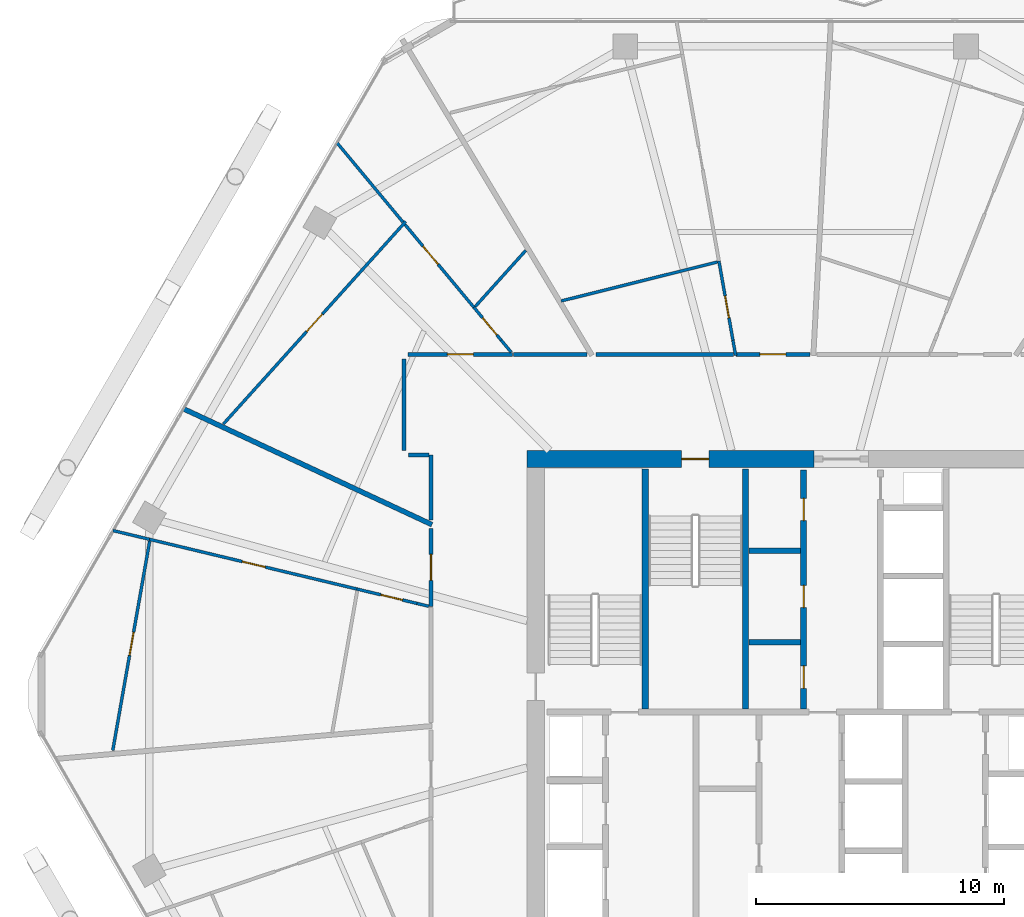
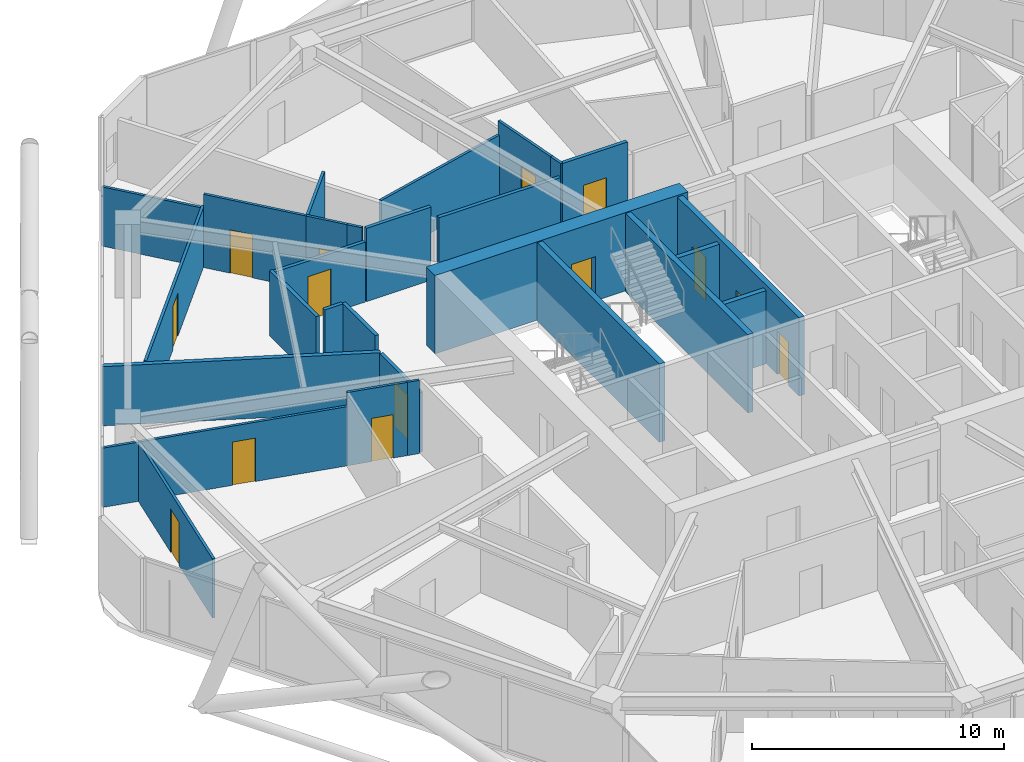
# One storey, part 24 of 29: 29 walls, 14 doors, 14 openings.
"""IFC4 building model written with IfcOpenShell, lengths in metres."""

from ifc_helpers import new_model, si_unit, direction, frame, frame_2d, origin, place, context, subcontext, project, spatial, rectangle, extrude, material, layer, layer_set, type_object, element, fill, save


model = new_model("IFC4")

# Units and contexts
model_context = context("Model", 3, precision=1e-05, world=origin(), true_north=direction((0.0, 1.0)))
body_context = subcontext(model_context, "Body", "Model", "MODEL_VIEW")
ifc_project = project(units=[si_unit("LENGTHUNIT", "METRE"), si_unit("AREAUNIT", "SQUARE_METRE"), si_unit("VOLUMEUNIT", "CUBIC_METRE"), si_unit("PLANEANGLEUNIT", "RADIAN"), si_unit("MASSUNIT", "GRAM", prefix="KILO")], contexts=[model_context])

# Site, building, storey
site_placement = place(None, origin())
site = spatial("IfcSite", under=ifc_project, at=site_placement, CompositionType="ELEMENT")
building_placement = place(site_placement, origin())
building = spatial("IfcBuilding", under=site, at=building_placement, Name="Zuhravey Tower", CompositionType="ELEMENT")
storey_placement = place(building_placement, frame((0.0, 0.0, 161.800048828125)))
storey = spatial("IfcBuildingStorey", under=building, at=storey_placement, Name="L40", CompositionType="ELEMENT", Elevation=161.800048828125)

# Wall, opening, door
ifc_material_1 = material(Name="Concrete C60/75", Category="concrete")
ifc_layer_1 = layer(ifc_material_1, 0.699951171875)
ifc_layer_set_1 = layer_set([ifc_layer_1], Name="Concrete C60/75")
wall_type_1 = type_object("IfcWallType", Name="Core Shear Wall 700", PredefinedType="SHEAR", material=ifc_layer_set_1)
wall_1_placement = place(storey_placement, frame((36.75, 41.5, 0.0), z_axis=(0.0, 0.0, 1.0), x_axis=(-1.0, 0.0, 0.0)))
wall_1 = element("IfcWall", 1, at=wall_1_placement, inside=storey, type_object=wall_type_1, Name="L40 North-West Core Shear Wall CW70", PredefinedType="SHEAR", context=body_context, shape_type="SweptSolid", body=[
    extrude(rectangle(XDim=11.60009765625, YDim=0.699951171875, at=frame_2d((5.800048828125, 0.0))), origin(), (0.0, 0.0, 1.0), 3.800048828125),
])
opening_1_placement = place(wall_1_placement, frame((4.25, 0.0, 0.0)))
opening_1 = element("IfcOpeningElement", 2, at=opening_1_placement, cuts=wall_1, Name="Opening STD1", PredefinedType="OPENING", context=body_context, shape_type="SweptSolid", body=[
    extrude(rectangle(XDim=1.10009765625, YDim=2.14990234375, at=frame_2d((0.550048828125, 1.074951171875))), frame((0.0, 0.362060546875, 0.0), z_axis=(0.0, -1.0, 0.0), x_axis=(1.0, 0.0, 0.0)), (0.0, 0.0, 1.0), 0.723876953125),
])
ifc_material_2 = material(Name="Galvanised fire-rated steel leaf", Category="steel")
door_type_1 = type_object("IfcDoorType", Name="Protected Stair Fire Door 1100x2150", OperationType="NOTDEFINED", PredefinedType="USERDEFINED", material=ifc_material_2)
door_1_placement = place(opening_1_placement, origin())
door_1 = element("IfcDoor", 3, at=door_1_placement, inside=storey, type_object=door_type_1, Name="L40 Stair ST3 Door", ObjectType="EXITDOOR", OperationType="SINGLE_SWING_RIGHT", OverallHeight=2.14990234375, OverallWidth=1.10009765625, PredefinedType="USERDEFINED", context=body_context, shape_type="SweptSolid", body=[
    extrude(rectangle(XDim=1.10009765625, YDim=2.14990234375, at=frame_2d((0.550048828125, 1.074951171875))), frame((0.0, 0.02490234375, 0.0), z_axis=(0.0, -1.0, 0.0), x_axis=(1.0, 0.0, 0.0)), (0.0, 0.0, 1.0), 0.050048828125),
])
fill(opening_1, door_1)

ifc_material_3 = material(Name="Gypsum fire-rated stud partition")
ifc_layer_2 = layer(ifc_material_3, 0.159912109375)
ifc_layer_set_2 = layer_set([ifc_layer_2], Name="Gypsum fire-rated stud partition")
wall_type_2 = type_object("IfcWallType", Name="Corridor Fire Partition 160", PredefinedType="PARTITIONING", material=ifc_layer_set_2)
wall_2_placement = place(storey_placement, frame((36.579345703125, 45.72998046875, 0.0), z_axis=(0.0, 0.0, 1.0), x_axis=(-1.0, 0.0, 0.0)))
wall_2 = element("IfcWall", 4, at=wall_2_placement, inside=storey, type_object=wall_type_2, Name="L40 IW16 Partition 032", PredefinedType="PARTITIONING", context=body_context, shape_type="SweptSolid", body=[
    extrude(rectangle(XDim=2.98974609375, YDim=0.159912109375, at=frame_2d((1.494873046875, 0.0))), origin(), (0.0, 0.0, 1.0), 3.550048828125),
])
opening_2_placement = place(wall_2_placement, frame((0.969970703125, 0.0, 0.0)))
opening_2 = element("IfcOpeningElement", 5, at=opening_2_placement, cuts=wall_2, Name="Opening APD1", PredefinedType="OPENING", context=body_context, shape_type="SweptSolid", body=[
    extrude(rectangle(XDim=1.050048828125, YDim=2.14990234375, at=frame_2d((0.52490234375, 1.074951171875))), frame((0.0, 0.092041015625, 0.0), z_axis=(0.0, -1.0, 0.0), x_axis=(1.0, 0.0, 0.0)), (0.0, 0.0, 1.0), 0.183837890625),
])
ifc_material_4 = material(Name="Solid-core oak fire-rated leaf")
door_type_2 = type_object("IfcDoorType", Name="Apartment Entrance Fire Door 1050x2150", OperationType="NOTDEFINED", PredefinedType="DOOR", material=ifc_material_4)
door_2_placement = place(opening_2_placement, frame((1.050048828125, 0.0, 0.0), z_axis=(0.0, 0.0, 1.0), x_axis=(-1.0, 0.0, 0.0)))
door_2 = element("IfcDoor", 6, at=door_2_placement, inside=storey, type_object=door_type_2, Name="L40 Door 032.1", OperationType="SINGLE_SWING_RIGHT", OverallHeight=2.14990234375, OverallWidth=1.050048828125, PredefinedType="DOOR", context=body_context, shape_type="SweptSolid", body=[
    extrude(rectangle(XDim=1.050048828125, YDim=2.14990234375, at=frame_2d((0.52490234375, 1.074951171875))), frame((0.0, 0.02490234375, 0.0), z_axis=(0.0, -1.0, 0.0), x_axis=(1.0, 0.0, 0.0)), (0.0, 0.0, 1.0), 0.050048828125),
])
fill(opening_2, door_2)

wall_3_placement = place(storey_placement, frame((24.554931640625, 45.72998046875, 0.0), z_axis=(0.0, 0.0, 1.0), x_axis=(-1.0, 0.0, 0.0)))
wall_3 = element("IfcWall", 7, at=wall_3_placement, inside=storey, type_object=wall_type_2, Name="L40 IW16 Partition 037", PredefinedType="PARTITIONING", context=body_context, shape_type="SweptSolid", body=[
    extrude(rectangle(XDim=4.204833984375, YDim=0.159912109375, at=frame_2d((2.1025390625, 0.0))), origin(), (0.0, 0.0, 1.0), 2.89990234375),
])
opening_3_placement = place(wall_3_placement, frame((1.577392578125, 0.0, 0.0)))
opening_3 = element("IfcOpeningElement", 8, at=opening_3_placement, cuts=wall_3, Name="Opening APD1", PredefinedType="OPENING", context=body_context, shape_type="SweptSolid", body=[
    extrude(rectangle(XDim=1.050048828125, YDim=2.14990234375, at=frame_2d((0.52490234375, 1.074951171875))), frame((0.0, 0.092041015625, 0.0), z_axis=(0.0, -1.0, 0.0), x_axis=(1.0, 0.0, 0.0)), (0.0, 0.0, 1.0), 0.183837890625),
])
door_3_placement = place(opening_3_placement, origin())
door_3 = element("IfcDoor", 9, at=door_3_placement, inside=storey, type_object=door_type_2, Name="L40 Door 037.1", OperationType="SINGLE_SWING_RIGHT", OverallHeight=2.14990234375, OverallWidth=1.050048828125, PredefinedType="DOOR", context=body_context, shape_type="SweptSolid", body=[
    extrude(rectangle(XDim=1.050048828125, YDim=2.14990234375, at=frame_2d((0.52490234375, 1.074951171875))), frame((0.0, 0.02490234375, 0.0), z_axis=(0.0, -1.0, 0.0), x_axis=(1.0, 0.0, 0.0)), (0.0, 0.0, 1.0), 0.050048828125),
])
fill(opening_3, door_3)

wall_4_placement = place(storey_placement, frame((21.27001953125, 38.69091796875, 0.0), z_axis=(0.0, 0.0, 1.0), x_axis=(0.0, -1.0, 0.0)))
wall_4 = element("IfcWall", 10, at=wall_4_placement, inside=storey, type_object=wall_type_2, Name="L40 IW16 Partition 041", PredefinedType="PARTITIONING", context=body_context, shape_type="SweptSolid", body=[
    extrude(rectangle(XDim=3.139404296875, YDim=0.159912109375, at=frame_2d((1.56982421875, 0.0))), origin(), (0.0, 0.0, 1.0), 2.89990234375),
])
opening_4_placement = place(wall_4_placement, frame((1.044677734375, 0.0, 0.0)))
opening_4 = element("IfcOpeningElement", 11, at=opening_4_placement, cuts=wall_4, Name="Opening APD1", PredefinedType="OPENING", context=body_context, shape_type="SweptSolid", body=[
    extrude(rectangle(XDim=1.050048828125, YDim=2.14990234375, at=frame_2d((0.52490234375, 1.074951171875))), frame((0.0, 0.092041015625, 0.0), z_axis=(0.0, -1.0, 0.0), x_axis=(1.0, 0.0, 0.0)), (0.0, 0.0, 1.0), 0.183837890625),
])
door_4_placement = place(opening_4_placement, frame((1.050048828125, 0.0, 0.0), z_axis=(0.0, 0.0, 1.0), x_axis=(-1.0, 0.0, 0.0)))
door_4 = element("IfcDoor", 12, at=door_4_placement, inside=storey, type_object=door_type_2, Name="L40 Door 041.1", OperationType="SINGLE_SWING_RIGHT", OverallHeight=2.14990234375, OverallWidth=1.050048828125, PredefinedType="DOOR", context=body_context, shape_type="SweptSolid", body=[
    extrude(rectangle(XDim=1.050048828125, YDim=2.14990234375, at=frame_2d((0.52490234375, 1.074951171875))), frame((0.0, 0.02490234375, 0.0), z_axis=(0.0, -1.0, 0.0), x_axis=(1.0, 0.0, 0.0)), (0.0, 0.0, 1.0), 0.050048828125),
])
fill(opening_4, door_4)

# Walls
wall_5_placement = place(storey_placement, frame((33.5, 45.72998046875, 0.0), z_axis=(0.0, 0.0, 1.0), x_axis=(-1.0, 0.0, 0.0)))
element("IfcWall", 13, at=wall_5_placement, inside=storey, type_object=wall_type_2, Name="L40 IW16 Partition 128", PredefinedType="PARTITIONING", context=body_context, shape_type="SweptSolid", body=[
    extrude(rectangle(XDim=5.564453125, YDim=0.159912109375, at=frame_2d((2.7822265625, 0.0))), origin(), (0.0, 0.0, 1.0), 2.89990234375),
])
wall_6_placement = place(storey_placement, frame((20.169921875, 45.550048828125, 0.0), z_axis=(0.0, 0.0, 1.0), x_axis=(0.0, -1.0, 0.0)))
element("IfcWall", 14, at=wall_6_placement, inside=storey, type_object=wall_type_2, Name="L40 IW16 Partition 129", PredefinedType="PARTITIONING", context=body_context, shape_type="SweptSolid", body=[
    extrude(rectangle(XDim=3.699951171875, YDim=0.159912109375, at=frame_2d((1.85009765625, 0.0))), origin(), (0.0, 0.0, 1.0), 3.14990234375),
])
wall_7_placement = place(storey_placement, frame((21.27001953125, 41.669921875, 0.0), z_axis=(0.0, 0.0, 1.0), x_axis=(0.0, -1.0, 0.0)))
element("IfcWall", 15, at=wall_7_placement, inside=storey, type_object=wall_type_2, Name="L40 IW16 Partition 130", PredefinedType="PARTITIONING", context=body_context, shape_type="SweptSolid", body=[
    extrude(rectangle(XDim=2.621826171875, YDim=0.159912109375, at=frame_2d((1.31103515625, 0.0))), origin(), (0.0, 0.0, 1.0), 3.550048828125),
])
wall_8_placement = place(storey_placement, frame((20.35009765625, 41.669921875, 0.0), z_axis=(0.0, 0.0, 1.0), x_axis=(1.0, 0.0, 0.0)))
element("IfcWall", 16, at=wall_8_placement, inside=storey, type_object=wall_type_2, Name="L40 IW16 Partition 131", PredefinedType="PARTITIONING", context=body_context, shape_type="SweptSolid", body=[
    extrude(rectangle(XDim=0.831787109375, YDim=0.159912109375, at=frame_2d((0.416015625, 0.0))), origin(), (0.0, 0.0, 1.0), 3.550048828125),
])
wall_9_placement = place(storey_placement, frame((27.562744140625, 45.72998046875, 0.0), z_axis=(0.0, 0.0, 1.0), x_axis=(-1.0, 0.0, 0.0)))
element("IfcWall", 17, at=wall_9_placement, inside=storey, type_object=wall_type_2, Name="L40 IW16 Partition 132", PredefinedType="PARTITIONING", context=body_context, shape_type="SweptSolid", body=[
    extrude(rectangle(XDim=2.955810546875, YDim=0.159912109375, at=frame_2d((1.47802734375, 0.0))), origin(), (0.0, 0.0, 1.0), 3.550048828125),
])
ifc_material_5 = material(Name="Concrete C50/60", Category="concrete")
ifc_layer_3 = layer(ifc_material_5, 0.25)
ifc_layer_set_3 = layer_set([ifc_layer_3], Name="Concrete C50/60")
wall_type_3 = type_object("IfcWallType", Name="Firefighting Shaft & Stair Wall 250", PredefinedType="SOLIDWALL", material=ifc_layer_set_3)
for number, where, z_axis, x_axis, name in (
    (18, (29.925048828125, 31.39990234375, 0.0), (0.0, 0.0, 1.0), (0.0, 1.0, 0.0), "L40 FW25 Shaft Wall 004"),
    (19, (33.97509765625, 31.39990234375, 0.0), (0.0, 0.0, 1.0), (0.0, 1.0, 0.0), "L40 FW25 Shaft Wall 005"),
):
    element("IfcWall", number, at=place(storey_placement, frame(where, z_axis=z_axis, x_axis=x_axis)), inside=storey, type_object=wall_type_3, Name=name, PredefinedType="SOLIDWALL", context=body_context, shape_type="SweptSolid", body=[
        extrude(rectangle(XDim=9.7001953125, YDim=0.25, at=frame_2d((4.85009765625, 0.0))), origin(), (0.0, 0.0, 1.0), 3.800048828125),
    ])

# Wall, openings, doors
wall_10_placement = place(storey_placement, frame((36.324951171875, 31.39990234375, 0.0), z_axis=(0.0, 0.0, 1.0), x_axis=(0.0, 1.0, 0.0)))
wall_10 = element("IfcWall", 20, at=wall_10_placement, inside=storey, type_object=wall_type_3, Name="L40 FW25 Shaft Wall 007", PredefinedType="SOLIDWALL", context=body_context, shape_type="SweptSolid", body=[
    extrude(rectangle(XDim=9.650146484375, YDim=0.25, at=frame_2d((4.8251953125, 0.0))), origin(), (0.0, 0.0, 1.0), 3.800048828125),
])
opening_5_placement = place(wall_10_placement, frame((0.840087890625, 0.0, 0.0)))
opening_5 = element("IfcOpeningElement", 21, at=opening_5_placement, cuts=wall_10, Name="Opening RSD1", PredefinedType="OPENING", context=body_context, shape_type="SweptSolid", body=[
    extrude(rectangle(XDim=0.89990234375, YDim=2.10009765625, at=frame_2d((0.449951171875, 1.050048828125))), frame((0.0, 0.136962890625, 0.0), z_axis=(0.0, -1.0, 0.0), x_axis=(1.0, 0.0, 0.0)), (0.0, 0.0, 1.0), 0.27392578125),
])
opening_6_placement = place(wall_10_placement, frame((4.10009765625, 0.0, 0.0)))
opening_6 = element("IfcOpeningElement", 22, at=opening_6_placement, cuts=wall_10, Name="Opening RSD1", PredefinedType="OPENING", context=body_context, shape_type="SweptSolid", body=[
    extrude(rectangle(XDim=0.89990234375, YDim=2.10009765625, at=frame_2d((0.449951171875, 1.050048828125))), frame((0.0, 0.136962890625, 0.0), z_axis=(0.0, -1.0, 0.0), x_axis=(1.0, 0.0, 0.0)), (0.0, 0.0, 1.0), 0.27392578125),
])
opening_7_placement = place(wall_10_placement, frame((7.610107421875, 0.0, 0.0)))
opening_7 = element("IfcOpeningElement", 23, at=opening_7_placement, cuts=wall_10, Name="Opening RSD1", PredefinedType="OPENING", context=body_context, shape_type="SweptSolid", body=[
    extrude(rectangle(XDim=0.89990234375, YDim=2.10009765625, at=frame_2d((0.449951171875, 1.050048828125))), frame((0.0, 0.136962890625, 0.0), z_axis=(0.0, -1.0, 0.0), x_axis=(1.0, 0.0, 0.0)), (0.0, 0.0, 1.0), 0.27392578125),
])
ifc_material_6 = material(Name="Galvanised fire-rated steel access leaf", Category="steel")
door_type_3 = type_object("IfcDoorType", Name="Riser & Shaft Access Fire Door 900x2100", OperationType="NOTDEFINED", PredefinedType="DOOR", material=ifc_material_6)
door_5_placement = place(opening_5_placement, origin())
door_5 = element("IfcDoor", 24, at=door_5_placement, inside=storey, type_object=door_type_3, Name="L40 Core Staff WC Door", OperationType="SINGLE_SWING_RIGHT", OverallHeight=2.10009765625, OverallWidth=0.89990234375, PredefinedType="DOOR", context=body_context, shape_type="SweptSolid", body=[
    extrude(rectangle(XDim=0.89990234375, YDim=2.10009765625, at=frame_2d((0.449951171875, 1.050048828125))), frame((0.0, 0.02490234375, 0.0), z_axis=(0.0, -1.0, 0.0), x_axis=(1.0, 0.0, 0.0)), (0.0, 0.0, 1.0), 0.050048828125),
])
fill(opening_5, door_5)
door_6_placement = place(opening_6_placement, origin())
door_6 = element("IfcDoor", 25, at=door_6_placement, inside=storey, type_object=door_type_3, Name="L40 IT and Comms Room Door", OperationType="SINGLE_SWING_LEFT", OverallHeight=2.10009765625, OverallWidth=0.89990234375, PredefinedType="DOOR", context=body_context, shape_type="SweptSolid", body=[
    extrude(rectangle(XDim=0.89990234375, YDim=2.10009765625, at=frame_2d((0.449951171875, 1.050048828125))), frame((0.0, 0.02490234375, 0.0), z_axis=(0.0, -1.0, 0.0), x_axis=(1.0, 0.0, 0.0)), (0.0, 0.0, 1.0), 0.050048828125),
])
fill(opening_6, door_6)
door_7_placement = place(opening_7_placement, origin())
door_7 = element("IfcDoor", 26, at=door_7_placement, inside=storey, type_object=door_type_3, Name="L40 Janitor Linen Store Door", OperationType="SINGLE_SWING_RIGHT", OverallHeight=2.10009765625, OverallWidth=0.89990234375, PredefinedType="DOOR", context=body_context, shape_type="SweptSolid", body=[
    extrude(rectangle(XDim=0.89990234375, YDim=2.10009765625, at=frame_2d((0.449951171875, 1.050048828125))), frame((0.0, 0.02490234375, 0.0), z_axis=(0.0, -1.0, 0.0), x_axis=(1.0, 0.0, 0.0)), (0.0, 0.0, 1.0), 0.050048828125),
])
fill(opening_7, door_7)

# Walls
ifc_material_7 = material(Name="Gypsum double-stud party assembly")
ifc_layer_4 = layer(ifc_material_7, 0.199951171875)
ifc_layer_set_4 = layer_set([ifc_layer_4], Name="Gypsum double-stud party assembly")
wall_type_4 = type_object("IfcWallType", Name="Inter-Tenancy Party Wall 200", PredefinedType="PARTITIONING", material=ifc_layer_set_4)
wall_11_placement = place(storey_placement, frame((21.31005859375, 38.85009765625, 0.0), z_axis=(0.0, 0.0, 1.0), x_axis=(-0.906310899559, 0.422611586851, 0.0)))
element("IfcWall", 27, at=wall_11_placement, inside=storey, type_object=wall_type_4, Name="L40 IW20 Partition 092", PredefinedType="PARTITIONING", context=body_context, shape_type="SweptSolid", body=[
    extrude(rectangle(XDim=11.078369140625, YDim=0.199951171875, at=frame_2d((5.5390625, 0.0))), origin(), (0.0, 0.0, 1.0), 2.869873046875),
])
ifc_material_8 = material(Name="Gypsum acoustic stud assembly")
ifc_layer_5 = layer(ifc_material_8, 0.219970703125)
ifc_layer_set_5 = layer_set([ifc_layer_5], Name="Gypsum acoustic stud assembly")
wall_type_5 = type_object("IfcWallType", Name="School Acoustic Compartment Wall 220", PredefinedType="PARTITIONING", material=ifc_layer_set_5)
for number, where, z_axis, x_axis, name in (
    (28, (34.10791015625, 34.10009765625, 0.0), (0.0, 0.0, 1.0), (1.0, 0.0, 0.0), "L40 IW22 Partition 067"),
    (29, (34.10791015625, 37.800048828125, 0.0), (0.0, 0.0, 1.0), (1.0, 0.0, 0.0), "L40 IW22 Partition 068"),
):
    element("IfcWall", number, at=place(storey_placement, frame(where, z_axis=z_axis, x_axis=x_axis)), inside=storey, type_object=wall_type_5, Name=name, PredefinedType="PARTITIONING", context=body_context, shape_type="SweptSolid", body=[
        extrude(rectangle(XDim=2.083984375, YDim=0.219970703125, at=frame_2d((1.0419921875, 0.0))), origin(), (0.0, 0.0, 1.0), 3.550048828125),
    ])

# Wall, opening, door
ifc_material_9 = material(Name="Gypsum metal-stud partition")
ifc_layer_6 = layer(ifc_material_9, 0.1201171875)
ifc_layer_set_6 = layer_set([ifc_layer_6], Name="Gypsum metal-stud partition")
wall_type_6 = type_object("IfcWallType", Name="Unit Internal Partition 120", PredefinedType="PARTITIONING", material=ifc_layer_set_6)
wall_12_placement = place(storey_placement, frame((33.46826171875, 46.300048828125, 0.0), z_axis=(0.0, 0.0, 1.0), x_axis=(-0.174363613102, 0.984681334456, 0.0)))
wall_12 = element("IfcWall", 30, at=wall_12_placement, inside=storey, type_object=wall_type_6, Name="L40 IW12 Partition 029", PredefinedType="PARTITIONING", context=body_context, shape_type="SweptSolid", body=[
    extrude(rectangle(XDim=3.251220703125, YDim=0.1201171875, at=frame_2d((1.62548828125, 0.0))), origin(), (0.0, 0.0, 1.0), 3.550048828125),
])
opening_8_placement = place(wall_12_placement, frame((0.91552734375, 0.0, 0.0)))
opening_8 = element("IfcOpeningElement", 31, at=opening_8_placement, cuts=wall_12, Name="Opening WCD1", PredefinedType="OPENING", context=body_context, shape_type="SweptSolid", body=[
    extrude(rectangle(XDim=0.89990234375, YDim=2.10009765625, at=frame_2d((0.449951171875, 1.050048828125))), frame((0.0, 0.072021484375, 0.0), z_axis=(0.0, -1.0, 0.0), x_axis=(1.0, 0.0, 0.0)), (0.0, 0.0, 1.0), 0.14404296875),
])
ifc_material_10 = material(Name="Moisture-resistant timber leaf", Category="wood")
door_type_4 = type_object("IfcDoorType", Name="Bathroom & WC Internal Door 900x2100", OperationType="NOTDEFINED", PredefinedType="DOOR", material=ifc_material_10)
door_8_placement = place(opening_8_placement, origin())
door_8 = element("IfcDoor", 32, at=door_8_placement, inside=storey, type_object=door_type_4, Name="Apartment L40-03 Bathroom Door", OperationType="SINGLE_SWING_LEFT", OverallHeight=2.10009765625, OverallWidth=0.89990234375, PredefinedType="DOOR", context=body_context, shape_type="SweptSolid", body=[
    extrude(rectangle(XDim=0.89990234375, YDim=2.10009765625, at=frame_2d((0.449951171875, 1.050048828125))), frame((0.0, 0.02490234375, 0.0), z_axis=(0.0, -1.0, 0.0), x_axis=(1.0, 0.0, 0.0)), (0.0, 0.0, 1.0), 0.050048828125),
])
fill(opening_8, door_8)

wall_13_placement = place(storey_placement, frame((20.24755859375, 51.0966796875, 0.0), z_axis=(0.0, 0.0, 1.0), x_axis=(-0.669133806592, -0.743141943962, 0.0)))
wall_13 = element("IfcWall", 33, at=wall_13_placement, inside=storey, type_object=wall_type_6, Name="L40 IW12 Partition 033", PredefinedType="PARTITIONING", context=body_context, shape_type="SweptSolid", body=[
    extrude(rectangle(XDim=11.00830078125, YDim=0.1201171875, at=frame_2d((5.504150390625, 0.0))), origin(), (0.0, 0.0, 1.0), 2.89990234375),
])
opening_9_placement = place(wall_13_placement, frame((5.029052734375, 0.0, 0.0)))
opening_9 = element("IfcOpeningElement", 34, at=opening_9_placement, cuts=wall_13, Name="Opening IND1", PredefinedType="OPENING", context=body_context, shape_type="SweptSolid", body=[
    extrude(rectangle(XDim=0.949951171875, YDim=2.10009765625, at=frame_2d((0.47509765625, 1.050048828125))), frame((0.0, 0.072021484375, 0.0), z_axis=(0.0, -1.0, 0.0), x_axis=(1.0, 0.0, 0.0)), (0.0, 0.0, 1.0), 0.14404296875),
])
ifc_material_11 = material(Name="Painted engineered timber leaf", Category="wood")
door_type_5 = type_object("IfcDoorType", Name="Internal Room & Bedroom Door 950x2100", OperationType="NOTDEFINED", PredefinedType="DOOR", material=ifc_material_11)
door_9_placement = place(opening_9_placement, frame((0.949951171875, 0.0, 0.0), z_axis=(0.0, 0.0, 1.0), x_axis=(-1.0, 0.0, 0.0)))
door_9 = element("IfcDoor", 35, at=door_9_placement, inside=storey, type_object=door_type_5, Name="Apartment L40-04 Family Study Door", OperationType="SINGLE_SWING_LEFT", OverallHeight=2.10009765625, OverallWidth=0.949951171875, PredefinedType="DOOR", context=body_context, shape_type="SweptSolid", body=[
    extrude(rectangle(XDim=0.949951171875, YDim=2.10009765625, at=frame_2d((0.47509765625, 1.050048828125))), frame((0.0, 0.02490234375, 0.0), z_axis=(0.0, -1.0, 0.0), x_axis=(1.0, 0.0, 0.0)), (0.0, 0.0, 1.0), 0.050048828125),
])
fill(opening_9, door_9)

wall_14_placement = place(storey_placement, frame((24.106689453125, 46.300048828125, 0.0), z_axis=(0.0, 0.0, 1.0), x_axis=(-0.639380963996, 0.76889009805, 0.0)))
wall_14 = element("IfcWall", 36, at=wall_14_placement, inside=storey, type_object=wall_type_6, Name="L40 IW12 Partition 034", PredefinedType="PARTITIONING", context=body_context, shape_type="SweptSolid", body=[
    extrude(rectangle(XDim=1.734375, YDim=0.1201171875, at=frame_2d((0.8671875, 0.0))), origin(), (0.0, 0.0, 1.0), 3.550048828125),
])
opening_10_placement = place(wall_14_placement, frame((0.2783203125, 0.0, 0.0)))
opening_10 = element("IfcOpeningElement", 37, at=opening_10_placement, cuts=wall_14, Name="Opening WCD1", PredefinedType="OPENING", context=body_context, shape_type="SweptSolid", body=[
    extrude(rectangle(XDim=0.89990234375, YDim=2.10009765625, at=frame_2d((0.449951171875, 1.050048828125))), frame((0.0, 0.072021484375, 0.0), z_axis=(0.0, -1.0, 0.0), x_axis=(1.0, 0.0, 0.0)), (0.0, 0.0, 1.0), 0.14404296875),
])
door_10_placement = place(opening_10_placement, frame((0.89990234375, 0.0, 0.0), z_axis=(0.0, 0.0, 1.0), x_axis=(-1.0, 0.0, 0.0)))
door_10 = element("IfcDoor", 38, at=door_10_placement, inside=storey, type_object=door_type_4, Name="Apartment L40-04 Bathroom Door", OperationType="SINGLE_SWING_RIGHT", OverallHeight=2.10009765625, OverallWidth=0.89990234375, PredefinedType="DOOR", context=body_context, shape_type="SweptSolid", body=[
    extrude(rectangle(XDim=0.89990234375, YDim=2.10009765625, at=frame_2d((0.449951171875, 1.050048828125))), frame((0.0, 0.02490234375, 0.0), z_axis=(0.0, -1.0, 0.0), x_axis=(1.0, 0.0, 0.0)), (0.0, 0.0, 1.0), 0.050048828125),
])
fill(opening_10, door_10)

wall_15_placement = place(storey_placement, frame((22.997802734375, 47.633544921875, 0.0), z_axis=(0.0, 0.0, 1.0), x_axis=(-0.639447858882, 0.76883446578, 0.0)))
wall_15 = element("IfcWall", 39, at=wall_15_placement, inside=storey, type_object=wall_type_6, Name="L40 IW12 Partition 035", PredefinedType="PARTITIONING", context=body_context, shape_type="SweptSolid", body=[
    extrude(rectangle(XDim=4.337890625, YDim=0.1201171875, at=frame_2d((2.1689453125, 0.0))), origin(), (0.0, 0.0, 1.0), 3.550048828125),
])
opening_11_placement = place(wall_15_placement, frame((2.25732421875, 0.0, 0.0)))
opening_11 = element("IfcOpeningElement", 40, at=opening_11_placement, cuts=wall_15, Name="Opening IND1", PredefinedType="OPENING", context=body_context, shape_type="SweptSolid", body=[
    extrude(rectangle(XDim=0.949951171875, YDim=2.10009765625, at=frame_2d((0.47509765625, 1.050048828125))), frame((0.0, 0.072021484375, 0.0), z_axis=(0.0, -1.0, 0.0), x_axis=(1.0, 0.0, 0.0)), (0.0, 0.0, 1.0), 0.14404296875),
])
door_11_placement = place(opening_11_placement, frame((0.949951171875, 0.0, 0.0), z_axis=(0.0, 0.0, 1.0), x_axis=(-1.0, 0.0, 0.0)))
door_11 = element("IfcDoor", 41, at=door_11_placement, inside=storey, type_object=door_type_5, Name="Apartment L40-04 Bedroom 1 Door", OperationType="SINGLE_SWING_LEFT", OverallHeight=2.10009765625, OverallWidth=0.949951171875, PredefinedType="DOOR", context=body_context, shape_type="SweptSolid", body=[
    extrude(rectangle(XDim=0.949951171875, YDim=2.10009765625, at=frame_2d((0.47509765625, 1.050048828125))), frame((0.0, 0.02490234375, 0.0), z_axis=(0.0, -1.0, 0.0), x_axis=(1.0, 0.0, 0.0)), (0.0, 0.0, 1.0), 0.050048828125),
])
fill(opening_11, door_11)

# Wall
wall_16_placement = place(storey_placement, frame((20.135986328125, 51.074462890625, 0.0), z_axis=(0.0, 0.0, 1.0), x_axis=(-0.639446992495, 0.768835186362, 0.0)))
element("IfcWall", 42, at=wall_16_placement, inside=storey, type_object=wall_type_6, Name="L40 IW12 Partition 036", PredefinedType="PARTITIONING", context=body_context, shape_type="SweptSolid", body=[
    extrude(rectangle(XDim=4.169921875, YDim=0.1201171875, at=frame_2d((2.0849609375, 0.0))), origin(), (0.0, 0.0, 1.0), 2.869873046875),
])

# Wall, opening, door
wall_17_placement = place(storey_placement, frame((20.699951171875, 35.66748046875, 0.0), z_axis=(0.0, 0.0, 1.0), x_axis=(-0.972436171126, 0.233169237004, 0.0)))
wall_17 = element("IfcWall", 43, at=wall_17_placement, inside=storey, type_object=wall_type_6, Name="L40 IW12 Partition 038", PredefinedType="PARTITIONING", context=body_context, shape_type="SweptSolid", body=[
    extrude(rectangle(XDim=2.492919921875, YDim=0.1201171875, at=frame_2d((1.24658203125, 0.0))), origin(), (0.0, 0.0, 1.0), 3.550048828125),
])
opening_12_placement = place(wall_17_placement, frame((0.59716796875, 0.0, 0.0)))
opening_12 = element("IfcOpeningElement", 44, at=opening_12_placement, cuts=wall_17, Name="Opening WCD1", PredefinedType="OPENING", context=body_context, shape_type="SweptSolid", body=[
    extrude(rectangle(XDim=0.89990234375, YDim=2.10009765625, at=frame_2d((0.449951171875, 1.050048828125))), frame((0.0, 0.072021484375, 0.0), z_axis=(0.0, -1.0, 0.0), x_axis=(1.0, 0.0, 0.0)), (0.0, 0.0, 1.0), 0.14404296875),
])
door_12_placement = place(opening_12_placement, origin())
door_12 = element("IfcDoor", 45, at=door_12_placement, inside=storey, type_object=door_type_4, Name="Apartment L40-05 Bathroom Door", OperationType="SINGLE_SWING_LEFT", OverallHeight=2.10009765625, OverallWidth=0.89990234375, PredefinedType="DOOR", context=body_context, shape_type="SweptSolid", body=[
    extrude(rectangle(XDim=0.89990234375, YDim=2.10009765625, at=frame_2d((0.449951171875, 1.050048828125))), frame((0.0, 0.02490234375, 0.0), z_axis=(0.0, -1.0, 0.0), x_axis=(1.0, 0.0, 0.0)), (0.0, 0.0, 1.0), 0.050048828125),
])
fill(opening_12, door_12)

wall_18_placement = place(storey_placement, frame((18.275634765625, 36.248779296875, 0.0), z_axis=(0.0, 0.0, 1.0), x_axis=(-0.972453575949, 0.233096637953, 0.0)))
wall_18 = element("IfcWall", 46, at=wall_18_placement, inside=storey, type_object=wall_type_6, Name="L40 IW12 Partition 039", PredefinedType="PARTITIONING", context=body_context, shape_type="SweptSolid", body=[
    extrude(rectangle(XDim=8.6220703125, YDim=0.1201171875, at=frame_2d((4.31103515625, 0.0))), origin(), (0.0, 0.0, 1.0), 2.869873046875),
])
opening_13_placement = place(wall_18_placement, frame((3.81103515625, 0.0, 0.0)))
opening_13 = element("IfcOpeningElement", 47, at=opening_13_placement, cuts=wall_18, Name="Opening IND1", PredefinedType="OPENING", context=body_context, shape_type="SweptSolid", body=[
    extrude(rectangle(XDim=0.949951171875, YDim=2.10009765625, at=frame_2d((0.47509765625, 1.050048828125))), frame((0.0, 0.072021484375, 0.0), z_axis=(0.0, -1.0, 0.0), x_axis=(1.0, 0.0, 0.0)), (0.0, 0.0, 1.0), 0.14404296875),
])
door_13_placement = place(opening_13_placement, origin())
door_13 = element("IfcDoor", 48, at=door_13_placement, inside=storey, type_object=door_type_5, Name="Apartment L40-05 Home Office Door", OperationType="SINGLE_SWING_RIGHT", OverallHeight=2.10009765625, OverallWidth=0.949951171875, PredefinedType="DOOR", context=body_context, shape_type="SweptSolid", body=[
    extrude(rectangle(XDim=0.949951171875, YDim=2.10009765625, at=frame_2d((0.47509765625, 1.050048828125))), frame((0.0, 0.02490234375, 0.0), z_axis=(0.0, -1.0, 0.0), x_axis=(1.0, 0.0, 0.0)), (0.0, 0.0, 1.0), 0.050048828125),
])
fill(opening_13, door_13)

wall_19_placement = place(storey_placement, frame((9.903564453125, 38.185791015625, 0.0), z_axis=(0.0, 0.0, 1.0), x_axis=(-0.173644236595, -0.984808447921, 0.0)))
wall_19 = element("IfcWall", 49, at=wall_19_placement, inside=storey, type_object=wall_type_6, Name="L40 IW12 Partition 040", PredefinedType="PARTITIONING", context=body_context, shape_type="SweptSolid", body=[
    extrude(rectangle(XDim=8.587646484375, YDim=0.1201171875, at=frame_2d((4.2939453125, 0.0))), origin(), (0.0, 0.0, 1.0), 2.869873046875),
])
opening_14_placement = place(wall_19_placement, frame((3.734619140625, 0.0, 0.0)))
opening_14 = element("IfcOpeningElement", 50, at=opening_14_placement, cuts=wall_19, Name="Opening IND1", PredefinedType="OPENING", context=body_context, shape_type="SweptSolid", body=[
    extrude(rectangle(XDim=0.949951171875, YDim=2.10009765625, at=frame_2d((0.47509765625, 1.050048828125))), frame((0.0, 0.072021484375, 0.0), z_axis=(0.0, -1.0, 0.0), x_axis=(1.0, 0.0, 0.0)), (0.0, 0.0, 1.0), 0.14404296875),
])
door_14_placement = place(opening_14_placement, frame((0.949951171875, 0.0, 0.0), z_axis=(0.0, 0.0, 1.0), x_axis=(-1.0, 0.0, 0.0)))
door_14 = element("IfcDoor", 51, at=door_14_placement, inside=storey, type_object=door_type_5, Name="Apartment L40-05 Kitchen Door", OperationType="SINGLE_SWING_LEFT", OverallHeight=2.10009765625, OverallWidth=0.949951171875, PredefinedType="DOOR", context=body_context, shape_type="SweptSolid", body=[
    extrude(rectangle(XDim=0.949951171875, YDim=2.10009765625, at=frame_2d((0.47509765625, 1.050048828125))), frame((0.0, 0.02490234375, 0.0), z_axis=(0.0, -1.0, 0.0), x_axis=(1.0, 0.0, 0.0)), (0.0, 0.0, 1.0), 0.050048828125),
])
fill(opening_14, door_14)

# Walls
wall_20_placement = place(storey_placement, frame((33.576904296875, 45.685302734375, 0.0), z_axis=(0.0, 0.0, 1.0), x_axis=(-0.174030737969, 0.984740220689, 0.0)))
element("IfcWall", 52, at=wall_20_placement, inside=storey, type_object=wall_type_6, Name="L40 IW12 Partition 086", PredefinedType="PARTITIONING", context=body_context, shape_type="SweptSolid", body=[
    extrude(rectangle(XDim=0.624267578125, YDim=0.1201171875, at=frame_2d((0.31201171875, 0.0))), origin(), (0.0, 0.0, 1.0), 3.550048828125),
])
wall_21_placement = place(storey_placement, frame((32.839599609375, 49.46044921875, 0.0), z_axis=(0.0, 0.0, 1.0), x_axis=(-0.970292398296, -0.241935243009, 0.0)))
element("IfcWall", 53, at=wall_21_placement, inside=storey, type_object=wall_type_6, Name="L40 IW12 Partition 088", PredefinedType="PARTITIONING", context=body_context, shape_type="SweptSolid", body=[
    extrude(rectangle(XDim=6.5068359375, YDim=0.1201171875, at=frame_2d((3.25341796875, 0.0))), origin(), (0.0, 0.0, 1.0), 2.89990234375),
])
wall_22_placement = place(storey_placement, frame((24.5078125, 45.818115234375, 0.0), z_axis=(0.0, 0.0, 1.0), x_axis=(-0.639724708175, 0.768604122908, 0.0)))
element("IfcWall", 54, at=wall_22_placement, inside=storey, type_object=wall_type_6, Name="L40 IW12 Partition 090", PredefinedType="PARTITIONING", context=body_context, shape_type="SweptSolid", body=[
    extrude(rectangle(XDim=0.626953125, YDim=0.1201171875, at=frame_2d((0.3134765625, 0.0))), origin(), (0.0, 0.0, 1.0), 3.550048828125),
])
wall_23_placement = place(storey_placement, frame((25.10009765625, 49.930908203125, 0.0), z_axis=(0.0, 0.0, 1.0), x_axis=(-0.669185903369, -0.7430950321, 0.0)))
element("IfcWall", 55, at=wall_23_placement, inside=storey, type_object=wall_type_6, Name="L40 IW12 Partition 091", PredefinedType="PARTITIONING", context=body_context, shape_type="SweptSolid", body=[
    extrude(rectangle(XDim=3.048828125, YDim=0.1201171875, at=frame_2d((1.5244140625, 0.0))), origin(), (0.0, 0.0, 1.0), 3.550048828125),
])
wall_24_placement = place(storey_placement, frame((21.181884765625, 35.552001953125, 0.0), z_axis=(0.0, 0.0, 1.0), x_axis=(-0.972472201242, 0.233018921574, 0.0)))
element("IfcWall", 56, at=wall_24_placement, inside=storey, type_object=wall_type_6, Name="L40 IW12 Partition 093", PredefinedType="PARTITIONING", context=body_context, shape_type="SweptSolid", body=[
    extrude(rectangle(XDim=0.49560546875, YDim=0.1201171875, at=frame_2d((0.247802734375, 0.0))), origin(), (0.0, 0.0, 1.0), 3.550048828125),
])
wall_25_placement = place(storey_placement, frame((9.89111328125, 38.258544921875, 0.0), z_axis=(0.0, 0.0, 1.0), x_axis=(-0.972445971427, 0.233128360897, 0.0)))
element("IfcWall", 57, at=wall_25_placement, inside=storey, type_object=wall_type_6, Name="L40 IW12 Partition 094", PredefinedType="PARTITIONING", context=body_context, shape_type="SweptSolid", body=[
    extrude(rectangle(XDim=1.510009765625, YDim=0.1201171875, at=frame_2d((0.7548828125, 0.0))), origin(), (0.0, 0.0, 1.0), 2.869873046875),
])

save(model, "model.ifc")
